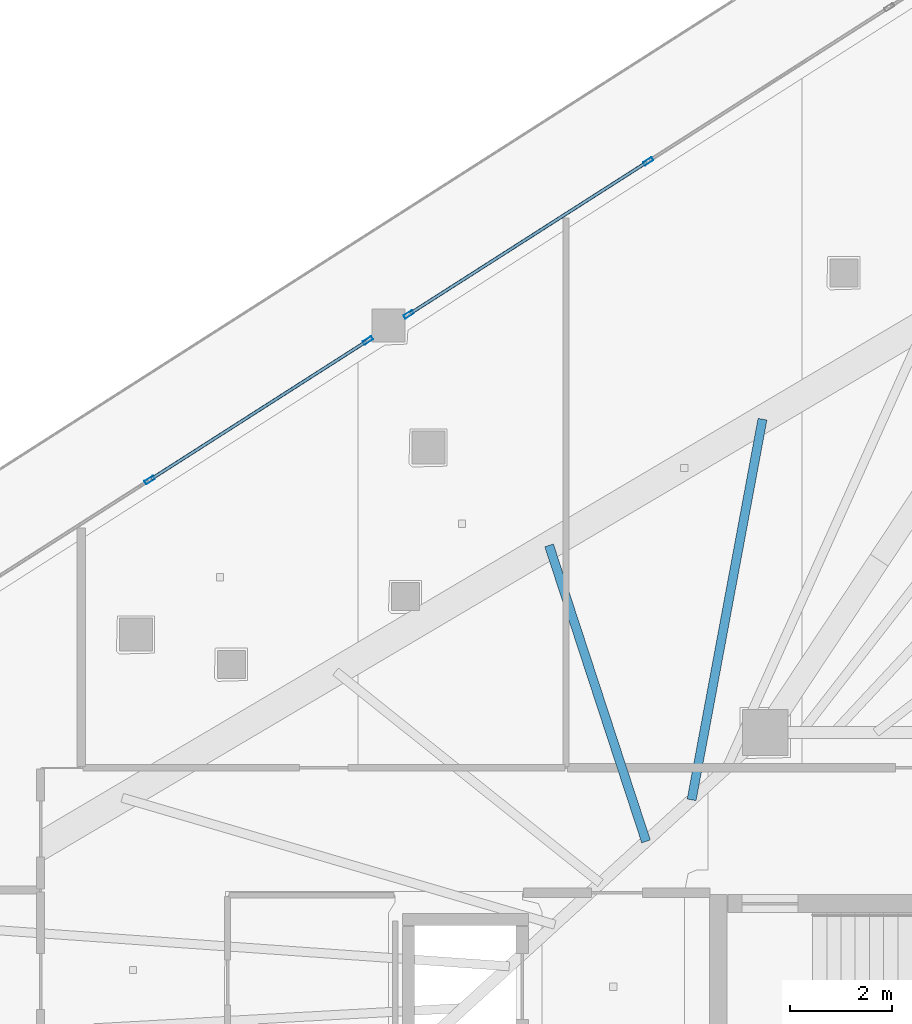
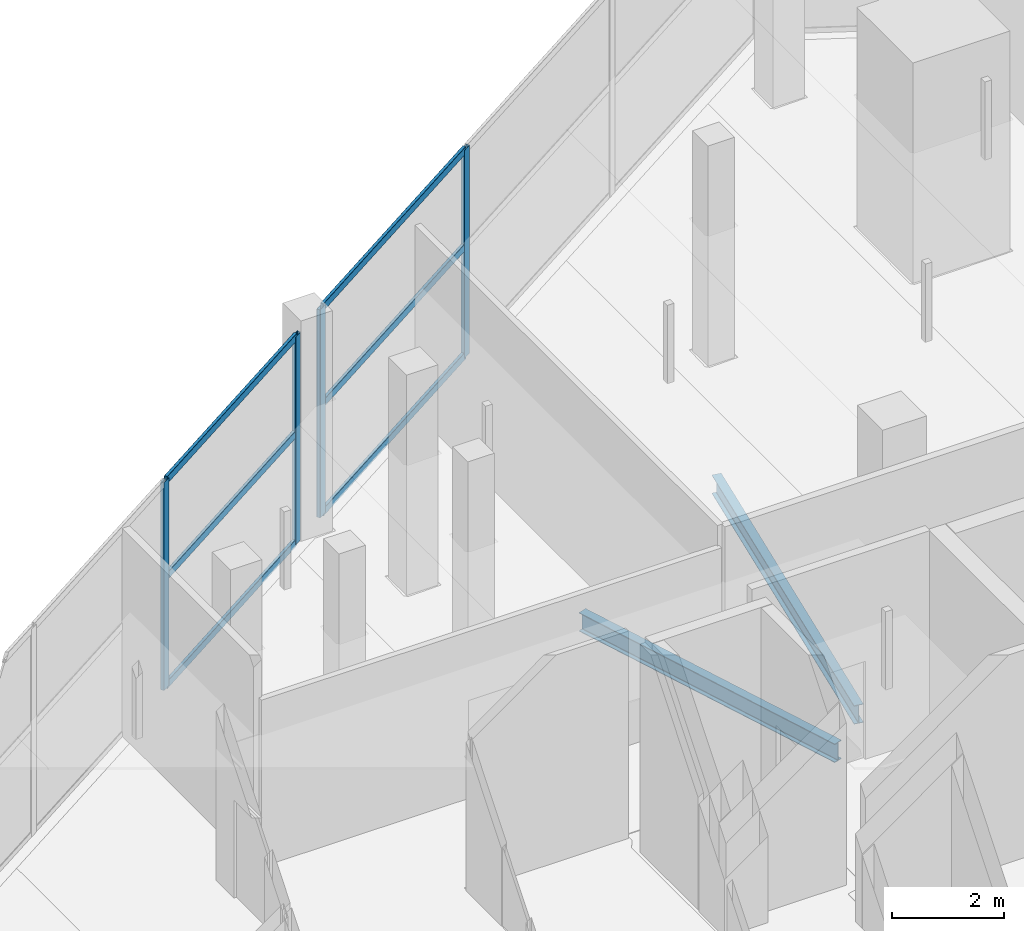
# One storey, part 17 of 36: 10 members, 2 beams, 2 elements without a shape of their own.
"""IFC4 building model written with IfcOpenShell, lengths in metres."""

from ifc_helpers import new_model, si_unit, direction, frame, origin, origin_2d, place, context, subcontext, project, spatial, hollow_rectangle, i_section, extrude, material, layer, layer_set, material_profile, profile_set, type_object, element, aggregate, save


model = new_model("IFC4")

# Units and contexts
model_context = context("Model", 3, precision=1e-05, world=origin(), true_north=direction((0.0, 1.0)))
body_context = subcontext(model_context, "Body", "Model", "MODEL_VIEW")
ifc_project = project(units=[si_unit("LENGTHUNIT", "METRE"), si_unit("AREAUNIT", "SQUARE_METRE"), si_unit("VOLUMEUNIT", "CUBIC_METRE"), si_unit("PLANEANGLEUNIT", "RADIAN"), si_unit("MASSUNIT", "GRAM", prefix="KILO")], contexts=[model_context])

# Site, building, storey
site_placement = place(None, origin())
site = spatial("IfcSite", under=ifc_project, at=site_placement, CompositionType="ELEMENT")
building_placement = place(site_placement, origin())
building = spatial("IfcBuilding", under=site, at=building_placement, Name="Qorvath Tower", CompositionType="ELEMENT")
storey_placement = place(building_placement, frame((0.0, 0.0, 180.0)))
storey = spatial("IfcBuildingStorey", under=building, at=storey_placement, Name="L41", CompositionType="ELEMENT", Elevation=180.0)

# Beams
ifc_material_1 = material(Name="Steel ASTM A992 Grade 50", Category="steel")
ifc_material_profile_1 = material_profile(ifc_material_1, i_section(OverallWidth=0.177978515625, OverallDepth=0.406005859375, WebThickness=0.0078125, FlangeThickness=0.0126953125, FilletRadius=0.010986328125, at=origin_2d()), Name="W16x40")
ifc_profile_set_1 = profile_set([ifc_material_profile_1], Name="Steel ASTM A992 Grade 50")
beam_type = type_object("IfcBeamType", Name="BM-FJ3", PredefinedType="JOIST", material=ifc_profile_set_1)
beam_1_placement = place(storey_placement, frame((-25.946044921875, 9.30810546875, -0.5029296875), z_axis=(-0.311228747452, 0.950335028692, 0.0), x_axis=(-0.950335028692, -0.311228747452, 0.0)))
element("IfcBeam", 1, at=beam_1_placement, inside=storey, type_object=beam_type, Name="Composite Floor Joist NW5 L41", PredefinedType="JOIST", context=body_context, shape_type="SweptSolid", body=[
    extrude(i_section(OverallWidth=0.177978515625, OverallDepth=0.406005859375, WebThickness=0.0078125, FlangeThickness=0.0126953125, FilletRadius=0.010986328125, at=origin_2d()), origin(), (0.0, 0.0, 1.0), 6.129638671875),
])
beam_2_placement = place(storey_placement, frame((-25.049072265625, 10.126953125, -0.5029296875), z_axis=(0.183026775988, 0.983107928598, 0.0), x_axis=(-0.983107928598, 0.183026775988, 0.0)))
element("IfcBeam", 2, at=beam_2_placement, inside=storey, type_object=beam_type, Name="Composite Floor Joist NW6 L41", PredefinedType="JOIST", context=body_context, shape_type="SweptSolid", body=[
    extrude(i_section(OverallWidth=0.177978515625, OverallDepth=0.406005859375, WebThickness=0.0078125, FlangeThickness=0.0126953125, FilletRadius=0.010986328125, at=origin_2d()), origin(), (0.0, 0.0, 1.0), 7.617919921875),
])

# Curtain wall, members
ifc_material_2 = material(Name="Anodised aluminium and triple low-E glass", Category="aluminium")
ifc_layer = layer(ifc_material_2, 0.179931640625)
ifc_layer_set = layer_set([ifc_layer], Name="CW-SYS-5")
curtain_wall_type = type_object("IfcCurtainWallType", Name="CW-SYS-5", PredefinedType="NOTDEFINED", material=ifc_layer_set)
curtain_wall_1_placement = place(storey_placement, origin())
curtain_wall_1 = element("IfcCurtainWall", 3, at=curtain_wall_1_placement, inside=storey, type_object=curtain_wall_type, Name="Curtain Wall CW-5 CW-T-L41-16.1", PredefinedType="NOTDEFINED")
ifc_material_3 = material(Name="Anodised aluminium 6063-T6", Category="aluminium")
ifc_material_profile_2 = material_profile(ifc_material_3, hollow_rectangle(XDim=0.074951171875, YDim=0.199951171875, WallThickness=0.00390625, InnerFilletRadius=0.00390625, OuterFilletRadius=0.008056640625, at=origin_2d()), Name="CWM 200x75")
ifc_profile_set_2 = profile_set([ifc_material_profile_2], Name="Anodised aluminium 6063-T6")
member_type_1 = type_object("IfcMemberType", Name="CWM-200", PredefinedType="MULLION", material=ifc_profile_set_2)
member_1_placement = place(storey_placement, frame((-25.902587890625, 22.689453125, 0.0), z_axis=(0.0, 0.0, 1.0), x_axis=(0.538544146891, -0.842597295183, 0.0)))
member_1 = element("IfcMember", 4, at=member_1_placement, type_object=member_type_1, Name="CW-5 mullion 3", PredefinedType="MULLION", context=body_context, shape_type="SweptSolid", body=[
    extrude(hollow_rectangle(XDim=0.074951171875, YDim=0.199951171875, WallThickness=0.00390625, InnerFilletRadius=0.00390625, OuterFilletRadius=0.008056640625, at=origin_2d()), origin(), (0.0, 0.0, 1.0), 4.530029296875),
])
member_2_placement = place(storey_placement, frame((-30.614501953125, 19.677978515625, 0.0), z_axis=(0.0, 0.0, 1.0), x_axis=(0.538544146891, -0.842597295183, 0.0)))
member_2 = element("IfcMember", 5, at=member_2_placement, type_object=member_type_1, Name="CW-5 mullion 4", PredefinedType="MULLION", context=body_context, shape_type="SweptSolid", body=[
    extrude(hollow_rectangle(XDim=0.074951171875, YDim=0.199951171875, WallThickness=0.00390625, InnerFilletRadius=0.00390625, OuterFilletRadius=0.008056640625, at=origin_2d()), origin(), (0.0, 0.0, 1.0), 4.530029296875),
])

curtain_wall_2_placement = place(storey_placement, origin())
curtain_wall_2 = element("IfcCurtainWall", 6, at=curtain_wall_2_placement, inside=storey, type_object=curtain_wall_type, Name="Curtain Wall CW-5 CW-T-L41-16.2", PredefinedType="NOTDEFINED")
member_3_placement = place(storey_placement, frame((-31.41748046875, 19.16455078125, 0.0), z_axis=(0.0, 0.0, 1.0), x_axis=(0.538536526802, -0.842602165497, 0.0)))
member_3 = element("IfcMember", 7, at=member_3_placement, type_object=member_type_1, Name="CW-5 mullion 1", PredefinedType="MULLION", context=body_context, shape_type="SweptSolid", body=[
    extrude(hollow_rectangle(XDim=0.074951171875, YDim=0.199951171875, WallThickness=0.00390625, InnerFilletRadius=0.00390625, OuterFilletRadius=0.008056640625, at=origin_2d()), origin(), (0.0, 0.0, 1.0), 4.530029296875),
])
member_4_placement = place(storey_placement, frame((-35.712646484375, 16.41943359375, 0.0), z_axis=(0.0, 0.0, 1.0), x_axis=(0.538536526802, -0.842602165497, 0.0)))
member_4 = element("IfcMember", 8, at=member_4_placement, type_object=member_type_1, Name="CW-5 mullion 2", PredefinedType="MULLION", context=body_context, shape_type="SweptSolid", body=[
    extrude(hollow_rectangle(XDim=0.074951171875, YDim=0.199951171875, WallThickness=0.00390625, InnerFilletRadius=0.00390625, OuterFilletRadius=0.008056640625, at=origin_2d()), origin(), (0.0, 0.0, 1.0), 4.530029296875),
])

# Member
ifc_material_4 = material(Name="Anodised aluminium 6063-T6", Category="aluminium")
ifc_material_profile_3 = material_profile(ifc_material_4, hollow_rectangle(XDim=0.06494140625, YDim=0.159912109375, WallThickness=0.00341796875, InnerFilletRadius=0.00341796875, OuterFilletRadius=0.007080078125, at=origin_2d()), Name="CWT 160x65")
ifc_profile_set_3 = profile_set([ifc_material_profile_3], Name="Anodised aluminium 6063-T6")
member_type_2 = type_object("IfcMemberType", Name="CWT-160", PredefinedType="USERDEFINED", material=ifc_profile_set_3)
member_5_placement = place(storey_placement, frame((-25.93408203125, 22.669189453125, 0.032470703125), z_axis=(-0.842597533941, -0.538543773334, 0.0), x_axis=(0.538543773334, -0.842597533941, 0.0)))
member_5 = element("IfcMember", 9, at=member_5_placement, type_object=member_type_2, Name="CW-5 transom 3.1", ObjectType="TRANSOM", PredefinedType="USERDEFINED", context=body_context, shape_type="SweptSolid", body=[
    extrude(hollow_rectangle(XDim=0.06494140625, YDim=0.159912109375, WallThickness=0.00341796875, InnerFilletRadius=0.00341796875, OuterFilletRadius=0.007080078125, at=origin_2d()), origin(), (0.0, 0.0, 1.0), 5.51708984375),
])

member_6_placement = place(storey_placement, frame((-25.93408203125, 22.669189453125, 2.39990234375), z_axis=(-0.842597533941, -0.538543773334, 0.0), x_axis=(0.538543773334, -0.842597533941, 0.0)))
member_6 = element("IfcMember", 10, at=member_6_placement, type_object=member_type_2, Name="CW-5 transom 3.2", ObjectType="TRANSOM", PredefinedType="USERDEFINED", context=body_context, shape_type="SweptSolid", body=[
    extrude(hollow_rectangle(XDim=0.06494140625, YDim=0.159912109375, WallThickness=0.00341796875, InnerFilletRadius=0.00341796875, OuterFilletRadius=0.007080078125, at=origin_2d()), origin(), (0.0, 0.0, 1.0), 5.51708984375),
])

member_7_placement = place(storey_placement, frame((-25.93408203125, 22.669189453125, 4.49755859375), z_axis=(-0.842597533941, -0.538543773334, 0.0), x_axis=(0.538543773334, -0.842597533941, 0.0)))
member_7 = element("IfcMember", 11, at=member_7_placement, type_object=member_type_2, Name="CW-5 transom 3.3", ObjectType="TRANSOM", PredefinedType="USERDEFINED", context=body_context, shape_type="SweptSolid", body=[
    extrude(hollow_rectangle(XDim=0.06494140625, YDim=0.159912109375, WallThickness=0.00341796875, InnerFilletRadius=0.00341796875, OuterFilletRadius=0.007080078125, at=origin_2d()), origin(), (0.0, 0.0, 1.0), 5.51708984375),
])

aggregate(curtain_wall_1, [member_1, member_2, member_5, member_6, member_7])

member_8_placement = place(storey_placement, frame((-31.44921875, 19.14453125, 0.032470703125), z_axis=(-0.842597002218, -0.538544605259, 0.0), x_axis=(0.538544605259, -0.842597002218, 0.0)))
member_8 = element("IfcMember", 12, at=member_8_placement, type_object=member_type_2, Name="CW-5 transom 1.1", ObjectType="TRANSOM", PredefinedType="USERDEFINED", context=body_context, shape_type="SweptSolid", body=[
    extrude(hollow_rectangle(XDim=0.06494140625, YDim=0.159912109375, WallThickness=0.00341796875, InnerFilletRadius=0.00341796875, OuterFilletRadius=0.007080078125, at=origin_2d()), origin(), (0.0, 0.0, 1.0), 5.0224609375),
])

member_9_placement = place(storey_placement, frame((-31.44921875, 19.14453125, 2.39990234375), z_axis=(-0.842597002218, -0.538544605259, 0.0), x_axis=(0.538544605259, -0.842597002218, 0.0)))
member_9 = element("IfcMember", 13, at=member_9_placement, type_object=member_type_2, Name="CW-5 transom 1.2", ObjectType="TRANSOM", PredefinedType="USERDEFINED", context=body_context, shape_type="SweptSolid", body=[
    extrude(hollow_rectangle(XDim=0.06494140625, YDim=0.159912109375, WallThickness=0.00341796875, InnerFilletRadius=0.00341796875, OuterFilletRadius=0.007080078125, at=origin_2d()), origin(), (0.0, 0.0, 1.0), 5.0224609375),
])

member_10_placement = place(storey_placement, frame((-31.44921875, 19.14453125, 4.49755859375), z_axis=(-0.842597002218, -0.538544605259, 0.0), x_axis=(0.538544605259, -0.842597002218, 0.0)))
member_10 = element("IfcMember", 14, at=member_10_placement, type_object=member_type_2, Name="CW-5 transom 1.3", ObjectType="TRANSOM", PredefinedType="USERDEFINED", context=body_context, shape_type="SweptSolid", body=[
    extrude(hollow_rectangle(XDim=0.06494140625, YDim=0.159912109375, WallThickness=0.00341796875, InnerFilletRadius=0.00341796875, OuterFilletRadius=0.007080078125, at=origin_2d()), origin(), (0.0, 0.0, 1.0), 5.0224609375),
])

aggregate(curtain_wall_2, [member_3, member_4, member_8, member_9, member_10])

save(model, "model.ifc")
